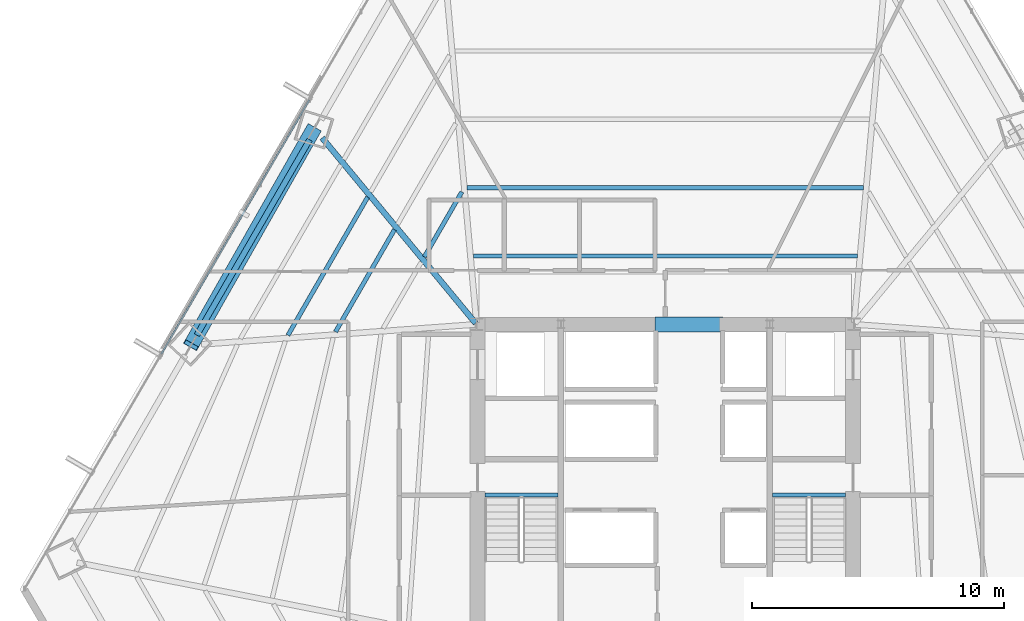
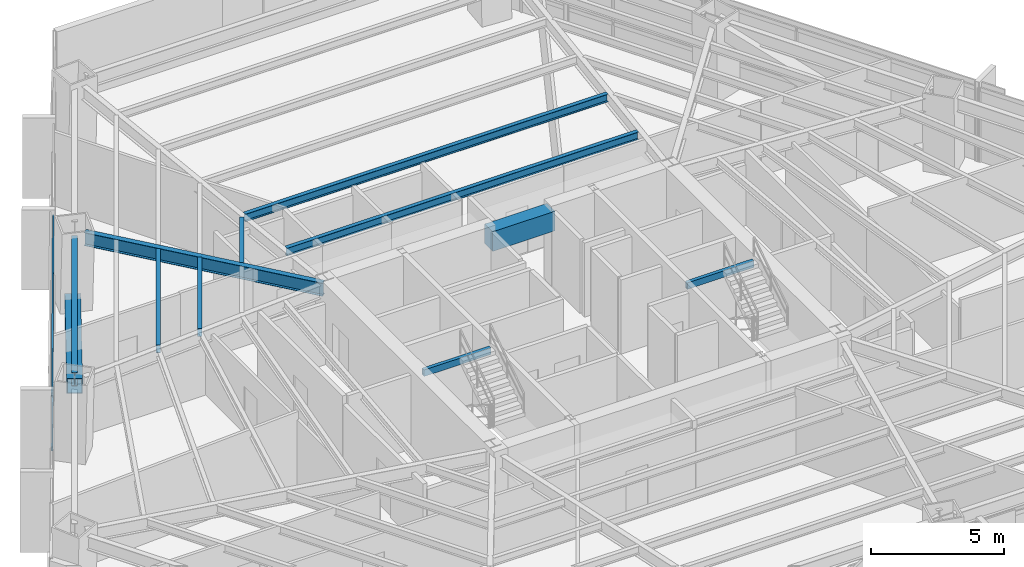
# One storey, part 11 of 33: 10 beams, 3 members, 1 element without a shape of its own.
"""IFC4 building model written with IfcOpenShell, lengths in metres."""

from ifc_helpers import new_model, si_unit, direction, frame, origin, origin_2d, place, context, subcontext, project, spatial, rectangle, hollow_rectangle, i_section, extrude, source, transform, mapped, material, material_profile, profile_set, type_object, type_shapes, element, aggregate, save


model = new_model("IFC4")

# Units and contexts
model_context = context("Model", 3, precision=1e-05, world=origin(), true_north=direction((0.0, 1.0)))
body_context = subcontext(model_context, "Body", "Model", "MODEL_VIEW")
ifc_project = project(units=[si_unit("LENGTHUNIT", "METRE"), si_unit("AREAUNIT", "SQUARE_METRE"), si_unit("VOLUMEUNIT", "CUBIC_METRE"), si_unit("PLANEANGLEUNIT", "RADIAN"), si_unit("MASSUNIT", "GRAM", prefix="KILO")], contexts=[model_context])

# Site, building, storey
site_placement = place(None, origin())
site = spatial("IfcSite", under=ifc_project, at=site_placement, CompositionType="ELEMENT")
building_placement = place(site_placement, origin())
building = spatial("IfcBuilding", under=site, at=building_placement, Name="Caelisora Broadcast Tower", CompositionType="ELEMENT")
storey_placement = place(building_placement, frame((0.0, 0.0, 38.550048828125)))
storey = spatial("IfcBuildingStorey", under=building, at=storey_placement, Name="L09", CompositionType="ELEMENT", Elevation=38.550048828125)

# Beams
ifc_material_1 = material(Name="Steel Grade 350 (AS/NZS 1163 C350L0)", Category="steel")
ifc_material_profile_1 = material_profile(ifc_material_1, hollow_rectangle(XDim=0.14990234375, YDim=0.300048828125, WallThickness=0.010009765625, at=origin_2d()), Name="Steel Grade 350 (AS/NZS 1163 C350L0)")
ifc_profile_set_1 = profile_set([ifc_material_profile_1], Name="Steel Grade 350 (AS/NZS 1163 C350L0)")
beam_type_1 = type_object("IfcBeamType", Name="SB05", PredefinedType="JOIST", material=ifc_profile_set_1)
shared_shape_1 = source(origin(), body_context, "Body", "SweptSolid", [
    extrude(hollow_rectangle(XDim=0.14990234375, YDim=0.300048828125, WallThickness=0.010009765625, at=origin_2d()), origin(), (0.0, 0.0, 1.0), 2.89990234375),
])
type_shapes(beam_type_1, [shared_shape_1])
for number, where, z_axis, x_axis, name in (
    (1, (30.840087890625, 23.219970703125, 3.25), (1.0, 0.0, 0.0), (0.0, 1.0, 0.0), "L09 beam SB05"),
    (2, (42.260009765625, 23.219970703125, 3.25), (1.0, 0.0, 0.0), (0.0, 1.0, 0.0), "L09 beam SB05"),
):
    element("IfcBeam", number, at=place(storey_placement, frame(where, z_axis=z_axis, x_axis=x_axis)), inside=storey, type_object=beam_type_1, Name=name, PredefinedType="JOIST", context=body_context, shape_type="MappedRepresentation", body=[
        mapped(shared_shape_1, transform((0.0, 0.0, 0.0), scale=1.0)),
    ])
ifc_material_2 = material(Name="Concrete 50 MPa (AS 3600 S50)", Category="concrete")
ifc_material_profile_2 = material_profile(ifc_material_2, rectangle(XDim=0.60009765625, YDim=0.89990234375, at=origin_2d()), Name="Concrete 50 MPa (AS 3600 S50)")
ifc_profile_set_2 = profile_set([ifc_material_profile_2], Name="Concrete 50 MPa (AS 3600 S50)")
beam_type_2 = type_object("IfcBeamType", Name="CB02", PredefinedType="LINTEL", material=ifc_profile_set_2)
shared_shape_2 = source(origin(), body_context, "Body", "SweptSolid", [
    extrude(rectangle(XDim=0.60009765625, YDim=0.89990234375, at=origin_2d()), origin(), (0.0, 0.0, 1.0), 2.699951171875),
])
type_shapes(beam_type_2, [shared_shape_2])
beam_1_placement = place(storey_placement, frame((37.60009765625, 30.0, 2.949951171875), z_axis=(1.0, 0.0, 0.0), x_axis=(0.0, 1.0, 0.0)))
element("IfcBeam", 3, at=beam_1_placement, inside=storey, type_object=beam_type_2, Name="L09 beam CB02", PredefinedType="LINTEL", context=body_context, shape_type="MappedRepresentation", body=[
    mapped(shared_shape_2, transform((0.0, 0.0, 0.0), scale=1.0)),
])
ifc_material_3 = material(Name="Steel Grade 350 (AS/NZS 3679.1)", Category="steel")
ifc_material_profile_3 = material_profile(ifc_material_3, i_section(OverallWidth=0.22900390625, OverallDepth=0.611572265625, WebThickness=0.011962890625, FlangeThickness=0.01953125, at=origin_2d()), Name="Steel Grade 350 (AS/NZS 3679.1)")
ifc_profile_set_3 = profile_set([ifc_material_profile_3], Name="Steel Grade 350 (AS/NZS 3679.1)")
beam_type_3 = type_object("IfcBeamType", Name="PG03", PredefinedType="BEAM", material=ifc_profile_set_3)
shared_shape_3 = source(origin(), body_context, "Body", "SweptSolid", [
    extrude(i_section(OverallWidth=0.22900390625, OverallDepth=0.611572265625, WebThickness=0.011962890625, FlangeThickness=0.01953125, at=origin_2d()), origin(), (0.0, 0.0, 1.0), 8.966064453125),
])
type_shapes(beam_type_3, [shared_shape_3])
beam_2_placement = place(storey_placement, frame((23.8642578125, 37.337890625, 3.09423828125), z_axis=(-0.499987229776, -0.866032776551, 0.0), x_axis=(0.866032776551, -0.499987229776, 0.0)))
element("IfcBeam", 4, at=beam_2_placement, inside=storey, type_object=beam_type_3, Name="L09 beam PG03", PredefinedType="BEAM", context=body_context, shape_type="MappedRepresentation", body=[
    mapped(shared_shape_3, transform((0.0, 0.0, 0.0), scale=1.0)),
])
ifc_material_profile_4 = material_profile(ifc_material_3, i_section(OverallWidth=0.22802734375, OverallDepth=0.602294921875, WebThickness=0.010498046875, FlangeThickness=0.014892578125, at=origin_2d()), Name="Steel Grade 350 (AS/NZS 3679.1)")
ifc_profile_set_4 = profile_set([ifc_material_profile_4], Name="Steel Grade 350 (AS/NZS 3679.1)")
beam_type_4 = type_object("IfcBeamType", Name="PG04", PredefinedType="BEAM", material=ifc_profile_set_4)
shared_shape_4 = source(origin(), body_context, "Body", "SweptSolid", [
    extrude(i_section(OverallWidth=0.22802734375, OverallDepth=0.602294921875, WebThickness=0.010498046875, FlangeThickness=0.014892578125, at=origin_2d()), origin(), (0.0, 0.0, 1.0), 9.563720703125),
])
type_shapes(beam_type_4, [shared_shape_4])
beam_3_placement = place(storey_placement, frame((30.461669921875, 30.046142578125, 3.098876953125), z_axis=(-0.637753161656, 0.770240809616, 0.0), x_axis=(-0.770240809616, -0.637753161656, 0.0)))
element("IfcBeam", 5, at=beam_3_placement, inside=storey, type_object=beam_type_4, Name="L09 beam PG04", PredefinedType="BEAM", context=body_context, shape_type="MappedRepresentation", body=[
    mapped(shared_shape_4, transform((0.0, 0.0, 0.0), scale=1.0)),
])
ifc_material_profile_5 = material_profile(ifc_material_3, i_section(OverallWidth=0.172119140625, OverallDepth=0.358642578125, WebThickness=0.008056640625, FlangeThickness=0.012939453125, at=origin_2d()), Name="Steel Grade 350 (AS/NZS 3679.1)")
ifc_profile_set_5 = profile_set([ifc_material_profile_5], Name="Steel Grade 350 (AS/NZS 3679.1)")
beam_type_5 = type_object("IfcBeamType", Name="SB02", PredefinedType="JOIST", material=ifc_profile_set_5)
shared_shape_5 = source(origin(), body_context, "Body", "SweptSolid", [
    extrude(i_section(OverallWidth=0.172119140625, OverallDepth=0.358642578125, WebThickness=0.008056640625, FlangeThickness=0.012939453125, at=origin_2d()), origin(), (0.0, 0.0, 1.0), 15.2646484375),
])
beam_4_placement = place(storey_placement, frame((45.63232421875, 32.71630859375, 3.220703125), z_axis=(-1.0, 0.0, 0.0), x_axis=(0.0, -1.0, 0.0)))
element("IfcBeam", 6, at=beam_4_placement, inside=storey, type_object=beam_type_5, Name="L09 beam SB02", PredefinedType="JOIST", context=body_context, shape_type="MappedRepresentation", body=[
    mapped(shared_shape_5, transform((0.0, 0.0, 0.0), scale=1.0)),
])
shared_shape_6 = source(origin(), body_context, "Body", "SweptSolid", [
    extrude(i_section(OverallWidth=0.172119140625, OverallDepth=0.358642578125, WebThickness=0.008056640625, FlangeThickness=0.012939453125, at=origin_2d()), origin(), (0.0, 0.0, 1.0), 15.75244140625),
])
beam_5_placement = place(storey_placement, frame((45.876220703125, 35.4326171875, 3.220703125), z_axis=(-1.0, 0.0, 0.0), x_axis=(0.0, -1.0, 0.0)))
element("IfcBeam", 7, at=beam_5_placement, inside=storey, type_object=beam_type_5, Name="L09 beam SB02", PredefinedType="JOIST", context=body_context, shape_type="MappedRepresentation", body=[
    mapped(shared_shape_6, transform((0.0, 0.0, 0.0), scale=1.0)),
])
shared_shape_7 = source(origin(), body_context, "Body", "SweptSolid", [
    extrude(i_section(OverallWidth=0.172119140625, OverallDepth=0.358642578125, WebThickness=0.008056640625, FlangeThickness=0.012939453125, at=origin_2d()), origin(), (0.0, 0.0, 1.0), 2.981689453125),
])
beam_6_placement = place(storey_placement, frame((29.914794921875, 35.263671875, 3.220703125), z_axis=(-0.499961077868, -0.866047874322, 0.0), x_axis=(0.866047874322, -0.499961077868, 0.0)))
element("IfcBeam", 8, at=beam_6_placement, inside=storey, type_object=beam_type_5, Name="L09 beam SB02", PredefinedType="JOIST", context=body_context, shape_type="MappedRepresentation", body=[
    mapped(shared_shape_7, transform((0.0, 0.0, 0.0), scale=1.0)),
])
shared_shape_8 = source(origin(), body_context, "Body", "SweptSolid", [
    extrude(i_section(OverallWidth=0.172119140625, OverallDepth=0.358642578125, WebThickness=0.008056640625, FlangeThickness=0.012939453125, at=origin_2d()), origin(), (0.0, 0.0, 1.0), 4.689453125),
])
beam_7_placement = place(storey_placement, frame((27.23779296875, 33.765380859375, 3.220703125), z_axis=(-0.499991342483, -0.866030402146, 0.0), x_axis=(0.866030402146, -0.499991342483, 0.0)))
element("IfcBeam", 9, at=beam_7_placement, inside=storey, type_object=beam_type_5, Name="L09 beam SB02", PredefinedType="JOIST", context=body_context, shape_type="MappedRepresentation", body=[
    mapped(shared_shape_8, transform((0.0, 0.0, 0.0), scale=1.0)),
])
shared_shape_9 = source(origin(), body_context, "Body", "SweptSolid", [
    extrude(i_section(OverallWidth=0.172119140625, OverallDepth=0.358642578125, WebThickness=0.008056640625, FlangeThickness=0.012939453125, at=origin_2d()), origin(), (0.0, 0.0, 1.0), 6.337158203125),
])
type_shapes(beam_type_5, [shared_shape_5, shared_shape_6, shared_shape_7, shared_shape_8, shared_shape_9])
beam_8_placement = place(storey_placement, frame((26.170166015625, 35.0546875, 3.220703125), z_axis=(-0.499975901009, -0.866039316896, 0.0), x_axis=(0.866039316896, -0.499975901009, 0.0)))
element("IfcBeam", 10, at=beam_8_placement, inside=storey, type_object=beam_type_5, Name="L09 beam SB02", PredefinedType="JOIST", context=body_context, shape_type="MappedRepresentation", body=[
    mapped(shared_shape_9, transform((0.0, 0.0, 0.0), scale=1.0)),
])

# Member
ifc_material_4 = material(Name="Steel Grade 450 L15 (AS/NZS 3678)", Category="steel")
ifc_material_profile_6 = material_profile(ifc_material_4, hollow_rectangle(XDim=0.60009765625, YDim=0.60009765625, WallThickness=0.02490234375, at=origin_2d()), Name="Steel Grade 450 L15 (AS/NZS 3678)")
ifc_profile_set_6 = profile_set([ifc_material_profile_6], Name="Steel Grade 450 L15 (AS/NZS 3678)")
member_type_1 = type_object("IfcMemberType", Name="BR01", PredefinedType="BRACE", material=ifc_profile_set_6)
shared_shape_10 = source(origin(), body_context, "Body", "SweptSolid", [
    extrude(hollow_rectangle(XDim=0.60009765625, YDim=0.60009765625, WallThickness=0.02490234375, at=origin_2d()), origin(), (0.0, 0.0, 1.0), 10.315673828125),
])
type_shapes(member_type_1, [shared_shape_10])
member_1_placement = place(storey_placement, frame((24.0234375, 37.758056640625, 0.099853515625), z_axis=(-0.472297053196, -0.832081569266, 0.290819111529), x_axis=(0.869670417187, -0.493632824546, 0.0)))
element("IfcMember", 11, at=member_1_placement, inside=storey, type_object=member_type_1, Name="L09 perimeter brace BR01", PredefinedType="BRACE", context=body_context, shape_type="MappedRepresentation", body=[
    mapped(shared_shape_10, transform((0.0, 0.0, 0.0), scale=1.0)),
])

# Curtain wall, members
ifc_material_5 = material(Name="Unitised Aluminium Insulated Shadow-Box Spandrel Curtain Wall", Category="aluminium")
curtain_wall_type = type_object("IfcCurtainWallType", Name="CW-SP1", PredefinedType="NOTDEFINED", material=ifc_material_5)
curtain_wall_placement = place(storey_placement, origin())
curtain_wall = element("IfcCurtainWall", 12, at=curtain_wall_placement, inside=storey, type_object=curtain_wall_type, Name="L09 curtain wall CW-SP1", PredefinedType="NOTDEFINED")
ifc_material_6 = material(Name="Aluminium 6063-T6 Anodised Terracotta Bronze", Category="aluminium")
ifc_material_profile_7 = material_profile(ifc_material_6, hollow_rectangle(XDim=0.06494140625, YDim=0.179931640625, WallThickness=0.00341796875, at=origin_2d()), Name="Aluminium 6063-T6 Anodised Terracotta Bronze")
ifc_profile_set_7 = profile_set([ifc_material_profile_7], Name="Aluminium 6063-T6 Anodised Terracotta Bronze")
member_type_2 = type_object("IfcMemberType", Name="CWT-01", PredefinedType="USERDEFINED", material=ifc_profile_set_7)
shared_shape_11 = source(origin(), body_context, "Body", "SweptSolid", [
    extrude(hollow_rectangle(XDim=0.06494140625, YDim=0.179931640625, WallThickness=0.00341796875, at=origin_2d()), origin(), (0.0, 0.0, 1.0), 11.693115234375),
])
type_shapes(member_type_2, [shared_shape_11])
member_2_placement = place(storey_placement, frame((17.96728515625, 28.818115234375, 0.849853515625), z_axis=(0.503288030011, 0.864118718029, 0.0), x_axis=(-0.864118718029, 0.503288030011, 0.0)))
member_2 = element("IfcMember", 13, at=member_2_placement, type_object=member_type_2, Name="L09-CW-B10 transom #1", ObjectType="TRANSOM", PredefinedType="USERDEFINED", context=body_context, shape_type="MappedRepresentation", body=[
    mapped(shared_shape_11, transform((0.0, 0.0, 0.0), scale=1.0)),
])
member_3_placement = place(storey_placement, frame((17.96728515625, 28.818115234375, 3.320068359375), z_axis=(0.503288030011, 0.864118718029, 0.0), x_axis=(-0.864118718029, 0.503288030011, 0.0)))
member_3 = element("IfcMember", 14, at=member_3_placement, type_object=member_type_2, Name="L09-CW-B10 transom #2", ObjectType="TRANSOM", PredefinedType="USERDEFINED", context=body_context, shape_type="MappedRepresentation", body=[
    mapped(shared_shape_11, transform((0.0, 0.0, 0.0), scale=1.0)),
])
aggregate(curtain_wall, [member_2, member_3])

save(model, "model.ifc")
